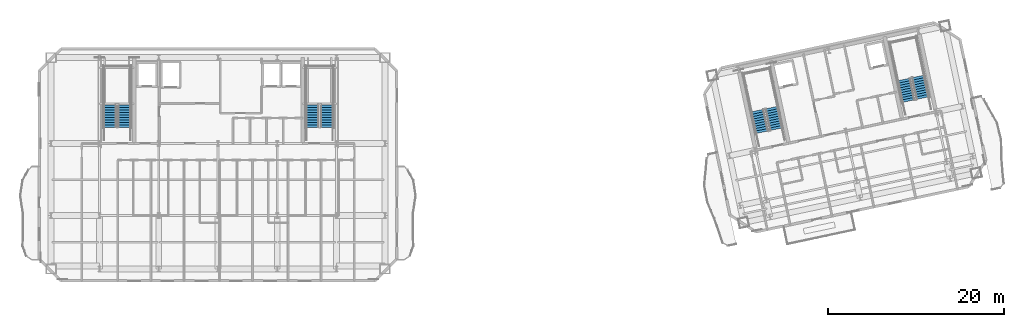
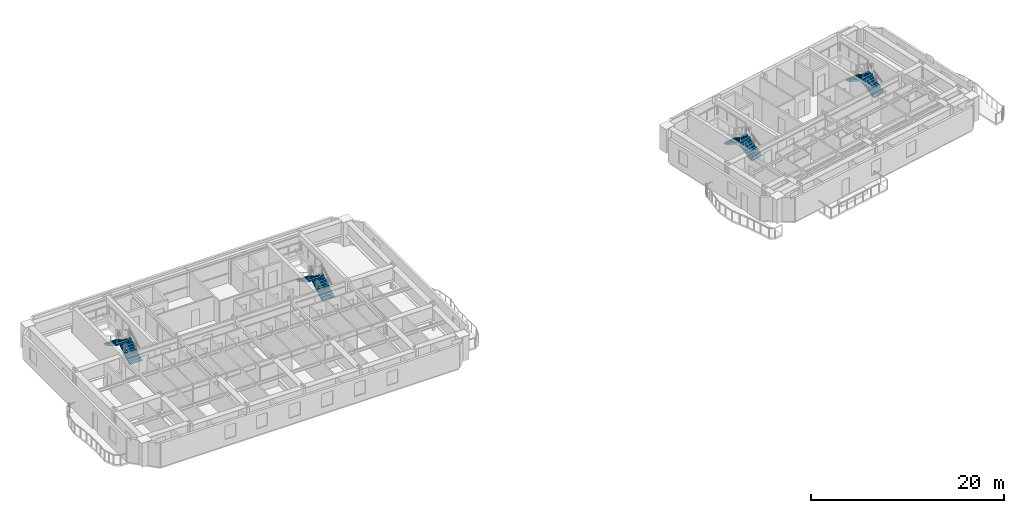
# One storey, part 12 of 16: 8 stair flights, 4 elements without a shape of their own.
"""IFC4 building model written with IfcOpenShell, lengths in metres."""

from ifc_helpers import new_model, si_unit, direction, frame, origin, place, context, subcontext, project, spatial, polyline, outline, extrude, material, type_object, element, aggregate, save


model = new_model("IFC4")

# Units and contexts
model_context = context("Model", 3, precision=1e-05, world=origin(), true_north=direction((0.0, 1.0)))
body_context = subcontext(model_context, "Body", "Model", "MODEL_VIEW")
ifc_project = project(units=[si_unit("LENGTHUNIT", "METRE"), si_unit("AREAUNIT", "SQUARE_METRE"), si_unit("VOLUMEUNIT", "CUBIC_METRE"), si_unit("PLANEANGLEUNIT", "RADIAN"), si_unit("MASSUNIT", "GRAM", prefix="KILO")], contexts=[model_context])

# Site, building, storey
site_placement = place(None, origin())
site = spatial("IfcSite", under=ifc_project, at=site_placement, CompositionType="ELEMENT")
building_placement = place(site_placement, origin())
building = spatial("IfcBuilding", under=site, at=building_placement, Name="Haevon Station Towers", CompositionType="ELEMENT")
storey_placement = place(building_placement, frame((0.0, 0.0, 215.39990234375)))
storey = spatial("IfcBuildingStorey", under=building, at=storey_placement, Name="L59", CompositionType="ELEMENT", Elevation=215.39990234375)

# Stair, stair flights
ifc_material = material(Name="Concrete C40/50", Category="concrete")
stair_type = type_object("IfcStairType", Name="STR-DL1450", PredefinedType="USERDEFINED", material=ifc_material)
stair_1_placement = place(storey_placement, origin())
stair_1 = element("IfcStair", 1, at=stair_1_placement, inside=storey, type_object=stair_type, Name="L59 Escape Stair ST1", ObjectType="TWO_RETURN_STAIR", PredefinedType="USERDEFINED")
stair_flight_type = type_object("IfcStairFlightType", Name="STF-ST1450", PredefinedType="STRAIGHT", material=ifc_material)
stair_flight_1_placement = place(storey_placement, frame((26.85498046875, 40.050048828125, 0.0), z_axis=(0.0, 0.0, 1.0), x_axis=(0.0, 1.0, 0.0)))
stair_flight_1 = element("IfcStairFlight", 2, at=stair_flight_1_placement, type_object=stair_flight_type, Name="L59 ST1 Flight 1", NumberOfRisers=10, NumberOfTreads=9, PredefinedType="STRAIGHT", RiserHeight=0.165, TreadLength=0.28, context=body_context, shape_type="SweptSolid", body=[
    extrude(outline(polyline([(0.0, 0.0), (0.0, 0.1650390625), (0.280029296875, 0.1650390625), (0.280029296875, 0.330078125), (0.56005859375, 0.330078125), (0.56005859375, 0.4951171875), (0.840087890625, 0.4951171875), (0.840087890625, 0.659912109375), (1.1201171875, 0.659912109375), (1.1201171875, 0.824951171875), (1.39990234375, 0.824951171875), (1.39990234375, 0.989990234375), (1.679931640625, 0.989990234375), (1.679931640625, 1.155029296875), (1.9599609375, 1.155029296875), (1.9599609375, 1.320068359375), (2.239990234375, 1.320068359375), (2.239990234375, 1.485107421875), (2.52001953125, 1.485107421875), (2.52001953125, 1.64990234375), (2.52001953125, 1.29931640625), (0.31494140625, 0.0), (0.0, 0.0)])), frame((0.0, 0.72509765625, 0.0), z_axis=(0.0, -1.0, 0.0), x_axis=(1.0, 0.0, 0.0)), (0.0, 0.0, 1.0), 1.449951171875),
])
stair_flight_2_placement = place(storey_placement, frame((25.205078125, 42.570068359375, 1.650146484375), z_axis=(0.0, 0.0, 1.0), x_axis=(0.0, -1.0, 0.0)))
stair_flight_2 = element("IfcStairFlight", 3, at=stair_flight_2_placement, type_object=stair_flight_type, Name="L59 ST1 Flight 2", NumberOfRisers=10, NumberOfTreads=9, PredefinedType="STRAIGHT", RiserHeight=0.165, TreadLength=0.28, context=body_context, shape_type="SweptSolid", body=[
    extrude(outline(polyline([(0.0, 0.0), (0.0, 0.1650390625), (0.280029296875, 0.1650390625), (0.280029296875, 0.330078125), (0.56005859375, 0.330078125), (0.56005859375, 0.4951171875), (0.840087890625, 0.4951171875), (0.840087890625, 0.659912109375), (1.1201171875, 0.659912109375), (1.1201171875, 0.824951171875), (1.39990234375, 0.824951171875), (1.39990234375, 0.989990234375), (1.679931640625, 0.989990234375), (1.679931640625, 1.155029296875), (1.9599609375, 1.155029296875), (1.9599609375, 1.320068359375), (2.239990234375, 1.320068359375), (2.239990234375, 1.485107421875), (2.52001953125, 1.485107421875), (2.52001953125, 1.64990234375), (2.52001953125, 1.29931640625), (0.31494140625, 0.0), (0.0, 0.0)])), frame((0.0, 0.72509765625, 0.0), z_axis=(0.0, -1.0, 0.0), x_axis=(1.0, 0.0, 0.0)), (0.0, 0.0, 1.0), 1.449951171875),
])
aggregate(stair_1, [stair_flight_1, stair_flight_2])

stair_2_placement = place(storey_placement, origin())
stair_2 = element("IfcStair", 4, at=stair_2_placement, inside=storey, type_object=stair_type, Name="L59 Escape Stair ST2", ObjectType="TWO_RETURN_STAIR", PredefinedType="USERDEFINED")
stair_flight_3_placement = place(storey_placement, frame((49.89501953125, 40.050048828125, 0.0), z_axis=(0.0, 0.0, 1.0), x_axis=(0.0, 1.0, 0.0)))
stair_flight_3 = element("IfcStairFlight", 5, at=stair_flight_3_placement, type_object=stair_flight_type, Name="L59 ST2 Flight 1", NumberOfRisers=10, NumberOfTreads=9, PredefinedType="STRAIGHT", RiserHeight=0.165, TreadLength=0.28, context=body_context, shape_type="SweptSolid", body=[
    extrude(outline(polyline([(0.0, 0.0), (0.0, 0.1650390625), (0.280029296875, 0.1650390625), (0.280029296875, 0.330078125), (0.56005859375, 0.330078125), (0.56005859375, 0.4951171875), (0.840087890625, 0.4951171875), (0.840087890625, 0.659912109375), (1.1201171875, 0.659912109375), (1.1201171875, 0.824951171875), (1.39990234375, 0.824951171875), (1.39990234375, 0.989990234375), (1.679931640625, 0.989990234375), (1.679931640625, 1.155029296875), (1.9599609375, 1.155029296875), (1.9599609375, 1.320068359375), (2.239990234375, 1.320068359375), (2.239990234375, 1.485107421875), (2.52001953125, 1.485107421875), (2.52001953125, 1.64990234375), (2.52001953125, 1.29931640625), (0.31494140625, 0.0), (0.0, 0.0)])), frame((0.0, 0.72509765625, 0.0), z_axis=(0.0, -1.0, 0.0), x_axis=(1.0, 0.0, 0.0)), (0.0, 0.0, 1.0), 1.449951171875),
])
stair_flight_4_placement = place(storey_placement, frame((48.2451171875, 42.570068359375, 1.650146484375), z_axis=(0.0, 0.0, 1.0), x_axis=(0.0, -1.0, 0.0)))
stair_flight_4 = element("IfcStairFlight", 6, at=stair_flight_4_placement, type_object=stair_flight_type, Name="L59 ST2 Flight 2", NumberOfRisers=10, NumberOfTreads=9, PredefinedType="STRAIGHT", RiserHeight=0.165, TreadLength=0.28, context=body_context, shape_type="SweptSolid", body=[
    extrude(outline(polyline([(0.0, 0.0), (0.0, 0.1650390625), (0.280029296875, 0.1650390625), (0.280029296875, 0.330078125), (0.56005859375, 0.330078125), (0.56005859375, 0.4951171875), (0.840087890625, 0.4951171875), (0.840087890625, 0.659912109375), (1.1201171875, 0.659912109375), (1.1201171875, 0.824951171875), (1.39990234375, 0.824951171875), (1.39990234375, 0.989990234375), (1.679931640625, 0.989990234375), (1.679931640625, 1.155029296875), (1.9599609375, 1.155029296875), (1.9599609375, 1.320068359375), (2.239990234375, 1.320068359375), (2.239990234375, 1.485107421875), (2.52001953125, 1.485107421875), (2.52001953125, 1.64990234375), (2.52001953125, 1.29931640625), (0.31494140625, 0.0), (0.0, 0.0)])), frame((0.0, 0.72509765625, 0.0), z_axis=(0.0, -1.0, 0.0), x_axis=(1.0, 0.0, 0.0)), (0.0, 0.0, 1.0), 1.449951171875),
])
aggregate(stair_2, [stair_flight_3, stair_flight_4])

stair_3_placement = place(storey_placement, origin())
stair_3 = element("IfcStair", 7, at=stair_3_placement, inside=storey, type_object=stair_type, Name="L59 Escape Stair ST3", ObjectType="TWO_RETURN_STAIR", PredefinedType="USERDEFINED")
stair_flight_5_placement = place(storey_placement, frame((101.1015625, 39.8330078125, 0.0), z_axis=(0.0, 0.0, 1.0), x_axis=(-0.207911690818, 0.978147600734, 0.0)))
stair_flight_5 = element("IfcStairFlight", 8, at=stair_flight_5_placement, type_object=stair_flight_type, Name="L59 ST3 Flight 1", NumberOfRisers=10, NumberOfTreads=9, PredefinedType="STRAIGHT", RiserHeight=0.165, TreadLength=0.28, context=body_context, shape_type="SweptSolid", body=[
    extrude(outline(polyline([(0.0, 0.0), (0.0, 0.1650390625), (0.280029296875, 0.1650390625), (0.280029296875, 0.330078125), (0.56005859375, 0.330078125), (0.56005859375, 0.4951171875), (0.840087890625, 0.4951171875), (0.840087890625, 0.659912109375), (1.1201171875, 0.659912109375), (1.1201171875, 0.824951171875), (1.39990234375, 0.824951171875), (1.39990234375, 0.989990234375), (1.679931640625, 0.989990234375), (1.679931640625, 1.155029296875), (1.9599609375, 1.155029296875), (1.9599609375, 1.320068359375), (2.239990234375, 1.320068359375), (2.239990234375, 1.485107421875), (2.52001953125, 1.485107421875), (2.52001953125, 1.64990234375), (2.52001953125, 1.29931640625), (0.31494140625, 0.0), (0.0, 0.0)])), frame((0.0, 0.72509765625, 0.0), z_axis=(0.0, -1.0, 0.0), x_axis=(1.0, 0.0, 0.0)), (0.0, 0.0, 1.0), 1.449951171875),
])
stair_flight_6_placement = place(storey_placement, frame((98.9638671875, 41.955078125, 1.650146484375), z_axis=(0.0, 0.0, 1.0), x_axis=(0.207911690818, -0.978147600734, 0.0)))
stair_flight_6 = element("IfcStairFlight", 9, at=stair_flight_6_placement, type_object=stair_flight_type, Name="L59 ST3 Flight 2", NumberOfRisers=10, NumberOfTreads=9, PredefinedType="STRAIGHT", RiserHeight=0.165, TreadLength=0.28, context=body_context, shape_type="SweptSolid", body=[
    extrude(outline(polyline([(0.0, 0.0), (0.0, 0.1650390625), (0.280029296875, 0.1650390625), (0.280029296875, 0.330078125), (0.56005859375, 0.330078125), (0.56005859375, 0.4951171875), (0.840087890625, 0.4951171875), (0.840087890625, 0.659912109375), (1.1201171875, 0.659912109375), (1.1201171875, 0.824951171875), (1.39990234375, 0.824951171875), (1.39990234375, 0.989990234375), (1.679931640625, 0.989990234375), (1.679931640625, 1.155029296875), (1.9599609375, 1.155029296875), (1.9599609375, 1.320068359375), (2.239990234375, 1.320068359375), (2.239990234375, 1.485107421875), (2.52001953125, 1.485107421875), (2.52001953125, 1.64990234375), (2.52001953125, 1.29931640625), (0.31494140625, 0.0), (0.0, 0.0)])), frame((0.0, 0.72509765625, 0.0), z_axis=(0.0, -1.0, 0.0), x_axis=(1.0, 0.0, 0.0)), (0.0, 0.0, 1.0), 1.449951171875),
])
aggregate(stair_3, [stair_flight_5, stair_flight_6])

stair_4_placement = place(storey_placement, origin())
stair_4 = element("IfcStair", 10, at=stair_4_placement, inside=storey, type_object=stair_type, Name="L59 Escape Stair ST4", ObjectType="TWO_RETURN_STAIR", PredefinedType="USERDEFINED")
stair_flight_7_placement = place(storey_placement, frame((117.788818359375, 43.380126953125, 0.0), z_axis=(0.0, 0.0, 1.0), x_axis=(-0.207911690818, 0.978147600734, 0.0)))
stair_flight_7 = element("IfcStairFlight", 11, at=stair_flight_7_placement, type_object=stair_flight_type, Name="L59 ST4 Flight 1", NumberOfRisers=10, NumberOfTreads=9, PredefinedType="STRAIGHT", RiserHeight=0.165, TreadLength=0.28, context=body_context, shape_type="SweptSolid", body=[
    extrude(outline(polyline([(0.0, 0.0), (0.0, 0.1650390625), (0.280029296875, 0.1650390625), (0.280029296875, 0.330078125), (0.56005859375, 0.330078125), (0.56005859375, 0.4951171875), (0.840087890625, 0.4951171875), (0.840087890625, 0.659912109375), (1.1201171875, 0.659912109375), (1.1201171875, 0.824951171875), (1.39990234375, 0.824951171875), (1.39990234375, 0.989990234375), (1.679931640625, 0.989990234375), (1.679931640625, 1.155029296875), (1.9599609375, 1.155029296875), (1.9599609375, 1.320068359375), (2.239990234375, 1.320068359375), (2.239990234375, 1.485107421875), (2.52001953125, 1.485107421875), (2.52001953125, 1.64990234375), (2.52001953125, 1.29931640625), (0.31494140625, 0.0), (0.0, 0.0)])), frame((0.0, 0.72509765625, 0.0), z_axis=(0.0, -1.0, 0.0), x_axis=(1.0, 0.0, 0.0)), (0.0, 0.0, 1.0), 1.449951171875),
])
stair_flight_8_placement = place(storey_placement, frame((115.65087890625, 45.501953125, 1.650146484375), z_axis=(0.0, 0.0, 1.0), x_axis=(0.207911690818, -0.978147600734, 0.0)))
stair_flight_8 = element("IfcStairFlight", 12, at=stair_flight_8_placement, type_object=stair_flight_type, Name="L59 ST4 Flight 2", NumberOfRisers=10, NumberOfTreads=9, PredefinedType="STRAIGHT", RiserHeight=0.165, TreadLength=0.28, context=body_context, shape_type="SweptSolid", body=[
    extrude(outline(polyline([(0.0, 0.0), (0.0, 0.1650390625), (0.280029296875, 0.1650390625), (0.280029296875, 0.330078125), (0.56005859375, 0.330078125), (0.56005859375, 0.4951171875), (0.840087890625, 0.4951171875), (0.840087890625, 0.659912109375), (1.1201171875, 0.659912109375), (1.1201171875, 0.824951171875), (1.39990234375, 0.824951171875), (1.39990234375, 0.989990234375), (1.679931640625, 0.989990234375), (1.679931640625, 1.155029296875), (1.9599609375, 1.155029296875), (1.9599609375, 1.320068359375), (2.239990234375, 1.320068359375), (2.239990234375, 1.485107421875), (2.52001953125, 1.485107421875), (2.52001953125, 1.64990234375), (2.52001953125, 1.29931640625), (0.31494140625, 0.0), (0.0, 0.0)])), frame((0.0, 0.72509765625, 0.0), z_axis=(0.0, -1.0, 0.0), x_axis=(1.0, 0.0, 0.0)), (0.0, 0.0, 1.0), 1.449951171875),
])
aggregate(stair_4, [stair_flight_7, stair_flight_8])

save(model, "model.ifc")
